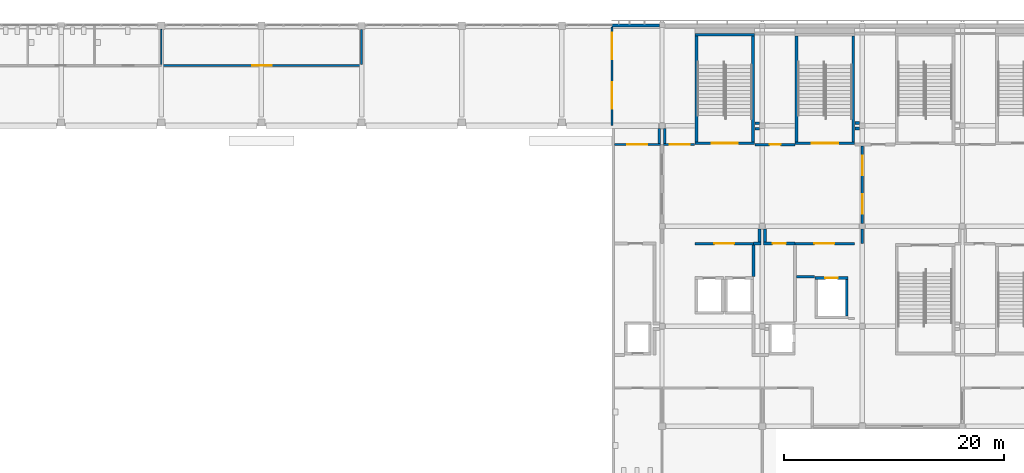
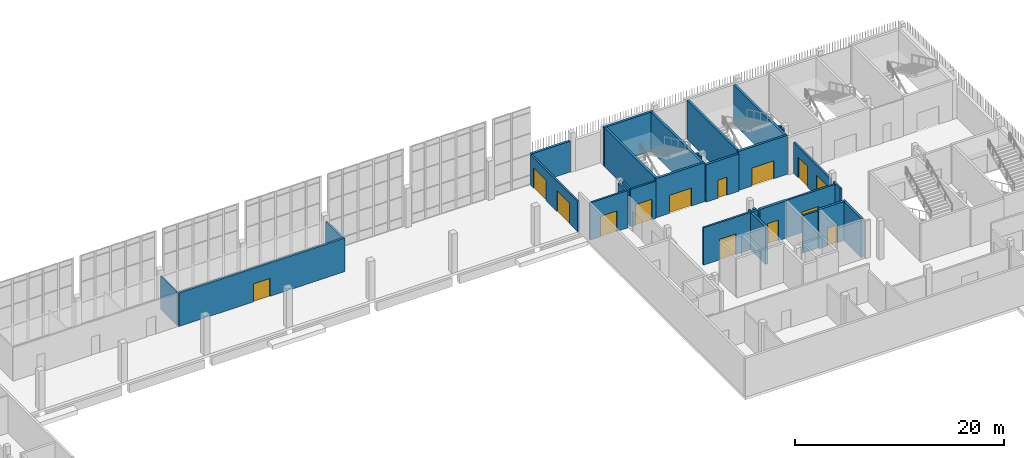
# One storey, part 52 of 91: 33 walls, 14 doors, 14 openings.
"""IFC4 building model written with IfcOpenShell, lengths in metres."""

from ifc_helpers import new_model, si_unit, direction, frame, frame_2d, origin, place, context, subcontext, project, spatial, rectangle, extrude, material, layer, layer_set, type_object, element, fill, save


model = new_model("IFC4")

# Units and contexts
model_context = context("Model", 3, precision=1e-05, world=origin(), true_north=direction((0.0, 1.0)))
body_context = subcontext(model_context, "Body", "Model", "MODEL_VIEW")
ifc_project = project(units=[si_unit("LENGTHUNIT", "METRE"), si_unit("AREAUNIT", "SQUARE_METRE"), si_unit("VOLUMEUNIT", "CUBIC_METRE"), si_unit("PLANEANGLEUNIT", "RADIAN"), si_unit("MASSUNIT", "GRAM", prefix="KILO")], contexts=[model_context])

# Site, building, storey
site_placement = place(None, origin())
site = spatial("IfcSite", under=ifc_project, at=site_placement, CompositionType="ELEMENT")
building_placement = place(site_placement, origin())
building = spatial("IfcBuilding", under=site, at=building_placement, Name="Shirokan Park Arena", CompositionType="ELEMENT")
storey_placement = place(building_placement, frame((0.0, 0.0, 24.570068359375)))
storey = spatial("IfcBuildingStorey", under=building, at=storey_placement, Name="L05", CompositionType="ELEMENT", Elevation=24.570068359375)

# Wall, opening, door
ifc_material_1 = material(Name="Plaster")
ifc_layer_1 = layer(ifc_material_1, 0.014892578125, Name="Plaster")
ifc_material_2 = material(Name="Concrete blockwork", Category="masonry")
ifc_layer_2 = layer(ifc_material_2, 0.219970703125, Name="Concrete blockwork 220")
ifc_layer_3 = layer(ifc_material_1, 0.014892578125, Name="Plaster")
ifc_layer_set_1 = layer_set([ifc_layer_1, ifc_layer_2, ifc_layer_3], Name="Plaster + Concrete blockwork 220")
wall_type_1 = type_object("IfcWallType", Name="Compartment wall 250", PredefinedType="SOLIDWALL", material=ifc_layer_set_1)
wall_1_placement = place(storey_placement, frame((117.6298828125, 98.39990234375, 0.0), z_axis=(0.0, 0.0, 1.0), x_axis=(1.0, 0.0, 0.0)))
wall_1 = element("IfcWall", 1, at=wall_1_placement, inside=storey, type_object=wall_type_1, Name="Compartment wall 250 L05", PredefinedType="SOLIDWALL", context=body_context, shape_type="SweptSolid", body=[
    extrude(rectangle(XDim=3.64013671875, YDim=0.25, at=frame_2d((1.820068359375, 0.0))), origin(), (0.0, 0.0, 1.0), 4.349853515625),
])
opening_1_placement = place(wall_1_placement, frame((1.35009765625, 0.0, 0.0)))
opening_1 = element("IfcOpeningElement", 2, at=opening_1_placement, cuts=wall_1, Name="Opening D-5028", PredefinedType="OPENING", context=body_context, shape_type="SweptSolid", body=[
    extrude(rectangle(XDim=1.0, YDim=2.10009765625, at=frame_2d((0.5, 1.050048828125))), frame((0.0, 0.135009765625, 0.0), z_axis=(0.0, -1.0, 0.0), x_axis=(1.0, 0.0, 0.0)), (0.0, 0.0, 1.0), 0.27001953125),
])
ifc_material_3 = material(Name="Timber door set, fire resisting", Category="wood")
door_type_1 = type_object("IfcDoorType", Name="Door 1000 x 2100", OperationType="SINGLE_SWING_LEFT", PredefinedType="DOOR", material=ifc_material_3)
door_1_placement = place(opening_1_placement, origin())
door_1 = element("IfcDoor", 3, at=door_1_placement, inside=storey, type_object=door_type_1, Name="Door to Refuse Room 5.32 D-5028", OperationType="SINGLE_SWING_LEFT", OverallHeight=2.10009765625, OverallWidth=1.0, PredefinedType="DOOR", context=body_context, shape_type="SweptSolid", body=[
    extrude(rectangle(XDim=1.0, YDim=2.10009765625, at=frame_2d((0.5, 1.050048828125))), frame((0.0, 0.02490234375, 0.0), z_axis=(0.0, -1.0, 0.0), x_axis=(1.0, 0.0, 0.0)), (0.0, 0.0, 1.0), 0.050048828125),
])
fill(opening_1, door_1)

# Walls
for number, where, z_axis, x_axis, name in (
    (4, (117.6298828125, 99.85009765625, 0.0), (0.0, 0.0, 1.0), (1.0, 0.0, 0.0), "Compartment wall 250 L05"),
    (5, (118.050048828125, 100.35009765625, 0.0), (0.0, 0.0, 1.0), (-1.0, 0.0, 0.0), "Compartment wall 250 L05"),
):
    element("IfcWall", number, at=place(storey_placement, frame(where, z_axis=z_axis, x_axis=x_axis)), inside=storey, type_object=wall_type_1, Name=name, PredefinedType="SOLIDWALL", context=body_context, shape_type="SweptSolid", body=[
        extrude(rectangle(XDim=0.420166015625, YDim=0.25, at=frame_2d((0.2099609375, 0.0))), origin(), (0.0, 0.0, 1.0), 4.349853515625),
    ])

# Wall, openings, doors
ifc_material_4 = material(Name="Gypsum board")
ifc_layer_4 = layer(ifc_material_4, 0.02490234375, Name="Gypsum board, two layers")
ifc_material_5 = material(Name="Mineral wool insulation")
ifc_layer_5 = layer(ifc_material_5, 0.14990234375, Name="Mineral wool insulation")
ifc_layer_6 = layer(ifc_material_4, 0.02490234375, Name="Gypsum board, two layers")
ifc_layer_set_2 = layer_set([ifc_layer_4, ifc_layer_5, ifc_layer_6], Name="Gypsum board, two layers + Mineral wool insulation")
wall_type_2 = type_object("IfcWallType", Name="Corridor wall 200", PredefinedType="PARTITIONING", material=ifc_layer_set_2)
wall_2_placement = place(storey_placement, frame((104.64990234375, 100.1298828125, 0.0), z_axis=(0.0, 0.0, 1.0), x_axis=(0.0, 1.0, 0.0)))
wall_2 = element("IfcWall", 6, at=wall_2_placement, inside=storey, type_object=wall_type_2, Name="Corridor wall 200 L05", PredefinedType="PARTITIONING", context=body_context, shape_type="SweptSolid", body=[
    extrude(rectangle(XDim=8.97021484375, YDim=0.199951171875, at=frame_2d((4.485107421875, 0.0))), origin(), (0.0, 0.0, 1.0), 3.550048828125),
])
opening_2_placement = place(wall_2_placement, frame((1.550048828125, 0.0, 0.0)))
opening_2 = element("IfcOpeningElement", 7, at=opening_2_placement, cuts=wall_2, Name="Opening D-5106", PredefinedType="OPENING", context=body_context, shape_type="SweptSolid", body=[
    extrude(rectangle(XDim=2.39990234375, YDim=2.39990234375, at=frame_2d((1.199951171875, 1.199951171875))), frame((0.0, 0.10986328125, 0.0), z_axis=(0.0, -1.0, 0.0), x_axis=(1.0, 0.0, 0.0)), (0.0, 0.0, 1.0), 0.219970703125),
])
opening_3_placement = place(wall_2_placement, frame((6.02001953125, 0.0, 0.0)))
opening_3 = element("IfcOpeningElement", 8, at=opening_3_placement, cuts=wall_2, Name="Opening D-5107", PredefinedType="OPENING", context=body_context, shape_type="SweptSolid", body=[
    extrude(rectangle(XDim=2.39990234375, YDim=2.39990234375, at=frame_2d((1.199951171875, 1.199951171875))), frame((0.0, 0.10986328125, 0.0), z_axis=(0.0, -1.0, 0.0), x_axis=(1.0, 0.0, 0.0)), (0.0, 0.0, 1.0), 0.219970703125),
])
ifc_material_6 = material(Name="Steel door set, fire resisting", Category="steel")
door_type_2 = type_object("IfcDoorType", Name="Double door 2400 x 2400", OperationType="DOUBLE_DOOR_SINGLE_SWING", PredefinedType="DOOR", material=ifc_material_6)
door_2_placement = place(opening_2_placement, origin())
door_2 = element("IfcDoor", 9, at=door_2_placement, inside=storey, type_object=door_type_2, Name="Door between Ring Link 3.5 and Concourse L05 North Hall D-5106", OperationType="DOUBLE_DOOR_SINGLE_SWING", OverallHeight=2.39990234375, OverallWidth=2.39990234375, PredefinedType="DOOR", context=body_context, shape_type="SweptSolid", body=[
    extrude(rectangle(XDim=2.39990234375, YDim=2.39990234375, at=frame_2d((1.199951171875, 1.199951171875))), frame((0.0, 0.02490234375, 0.0), z_axis=(0.0, -1.0, 0.0), x_axis=(1.0, 0.0, 0.0)), (0.0, 0.0, 1.0), 0.050048828125),
])
fill(opening_2, door_2)
door_3_placement = place(opening_3_placement, origin())
door_3 = element("IfcDoor", 10, at=door_3_placement, inside=storey, type_object=door_type_2, Name="Door between Ring Link 3.5 and Concourse L05 North Hall D-5107", OperationType="DOUBLE_DOOR_SINGLE_SWING", OverallHeight=2.39990234375, OverallWidth=2.39990234375, PredefinedType="DOOR", context=body_context, shape_type="SweptSolid", body=[
    extrude(rectangle(XDim=2.39990234375, YDim=2.39990234375, at=frame_2d((1.199951171875, 1.199951171875))), frame((0.0, 0.02490234375, 0.0), z_axis=(0.0, -1.0, 0.0), x_axis=(1.0, 0.0, 0.0)), (0.0, 0.0, 1.0), 0.050048828125),
])
fill(opening_3, door_3)

# Wall, opening, door
wall_3_placement = place(storey_placement, frame((104.89990234375, 98.39990234375, 0.0), z_axis=(0.0, 0.0, 1.0), x_axis=(1.0, 0.0, 0.0)))
wall_3 = element("IfcWall", 11, at=wall_3_placement, inside=storey, type_object=wall_type_2, Name="Corridor wall 200 L05", PredefinedType="PARTITIONING", context=body_context, shape_type="SweptSolid", body=[
    extrude(rectangle(XDim=4.150146484375, YDim=0.199951171875, at=frame_2d((2.0751953125, 0.0))), origin(), (0.0, 0.0, 1.0), 4.349853515625),
])
opening_4_placement = place(wall_3_placement, frame((1.14990234375, 0.0, 0.0)))
opening_4 = element("IfcOpeningElement", 12, at=opening_4_placement, cuts=wall_3, Name="Opening D-5103", PredefinedType="OPENING", context=body_context, shape_type="SweptSolid", body=[
    extrude(rectangle(XDim=1.800048828125, YDim=2.39990234375, at=frame_2d((0.89990234375, 1.199951171875))), frame((0.0, 0.10986328125, 0.0), z_axis=(0.0, -1.0, 0.0), x_axis=(1.0, 0.0, 0.0)), (0.0, 0.0, 1.0), 0.219970703125),
])
ifc_material_7 = material(Name="Glazed steel door set, fire resisting", Category="steel")
door_type_3 = type_object("IfcDoorType", Name="Lift lobby door 1800 x 2400", OperationType="DOUBLE_DOOR_SINGLE_SWING", PredefinedType="DOOR", material=ifc_material_7)
door_4_placement = place(opening_4_placement, origin())
door_4 = element("IfcDoor", 13, at=door_4_placement, inside=storey, type_object=door_type_3, Name="Door between Upper Concourse Lobby 3.5.3 and Ring Link 3.5 D-5103", OperationType="DOUBLE_DOOR_SINGLE_SWING", OverallHeight=2.39990234375, OverallWidth=1.800048828125, PredefinedType="DOOR", context=body_context, shape_type="SweptSolid", body=[
    extrude(rectangle(XDim=1.800048828125, YDim=2.39990234375, at=frame_2d((0.89990234375, 1.199951171875))), frame((0.0, 0.02490234375, 0.0), z_axis=(0.0, -1.0, 0.0), x_axis=(1.0, 0.0, 0.0)), (0.0, 0.0, 1.0), 0.050048828125),
])
fill(opening_4, door_4)

# Wall
wall_4_placement = place(storey_placement, frame((108.949951171875, 98.5, 0.0), z_axis=(0.0, 0.0, 1.0), x_axis=(0.0, 1.0, 0.0)))
element("IfcWall", 14, at=wall_4_placement, inside=storey, type_object=wall_type_2, Name="Corridor wall 200 L05", PredefinedType="PARTITIONING", context=body_context, shape_type="SweptSolid", body=[
    extrude(rectangle(XDim=1.35009765625, YDim=0.199951171875, at=frame_2d((0.675048828125, 0.0))), origin(), (0.0, 0.0, 1.0), 4.349853515625),
])

# Wall, opening, door
wall_5_placement = place(storey_placement, frame((109.35009765625, 98.39990234375, 0.0), z_axis=(0.0, 0.0, 1.0), x_axis=(1.0, 0.0, 0.0)))
wall_5 = element("IfcWall", 15, at=wall_5_placement, inside=storey, type_object=wall_type_2, Name="Corridor wall 200 L05", PredefinedType="PARTITIONING", context=body_context, shape_type="SweptSolid", body=[
    extrude(rectangle(XDim=2.81982421875, YDim=0.199951171875, at=frame_2d((1.409912109375, 0.0))), origin(), (0.0, 0.0, 1.0), 4.349853515625),
])
opening_5_placement = place(wall_5_placement, frame((0.550048828125, 0.0, 0.0)))
opening_5 = element("IfcOpeningElement", 16, at=opening_5_placement, cuts=wall_5, Name="Opening D-5102", PredefinedType="OPENING", context=body_context, shape_type="SweptSolid", body=[
    extrude(rectangle(XDim=1.800048828125, YDim=2.39990234375, at=frame_2d((0.89990234375, 1.199951171875))), frame((0.0, 0.10986328125, 0.0), z_axis=(0.0, -1.0, 0.0), x_axis=(1.0, 0.0, 0.0)), (0.0, 0.0, 1.0), 0.219970703125),
])
door_5_placement = place(opening_5_placement, origin())
door_5 = element("IfcDoor", 17, at=door_5_placement, inside=storey, type_object=door_type_3, Name="Door between Retail Arcade 3.5.2 and Ring Link 3.5 D-5102", OperationType="DOUBLE_DOOR_SINGLE_SWING", OverallHeight=2.39990234375, OverallWidth=1.800048828125, PredefinedType="DOOR", context=body_context, shape_type="SweptSolid", body=[
    extrude(rectangle(XDim=1.800048828125, YDim=2.39990234375, at=frame_2d((0.89990234375, 1.199951171875))), frame((0.0, 0.02490234375, 0.0), z_axis=(0.0, -1.0, 0.0), x_axis=(1.0, 0.0, 0.0)), (0.0, 0.0, 1.0), 0.050048828125),
])
fill(opening_5, door_5)

# Wall
wall_6_placement = place(storey_placement, frame((109.449951171875, 99.85009765625, 0.0), z_axis=(0.0, 0.0, 1.0), x_axis=(0.0, -1.0, 0.0)))
element("IfcWall", 18, at=wall_6_placement, inside=storey, type_object=wall_type_2, Name="Corridor wall 200 L05", PredefinedType="PARTITIONING", context=body_context, shape_type="SweptSolid", body=[
    extrude(rectangle(XDim=1.35009765625, YDim=0.199951171875, at=frame_2d((0.675048828125, 0.0))), origin(), (0.0, 0.0, 1.0), 4.349853515625),
])

# Wall, opening, door
wall_7_placement = place(storey_placement, frame((117.5, 89.39990234375, 0.0), z_axis=(0.0, 0.0, 1.0), x_axis=(-1.0, 0.0, 0.0)))
wall_7 = element("IfcWall", 19, at=wall_7_placement, inside=storey, type_object=wall_type_2, Name="Corridor wall 200 L05", PredefinedType="PARTITIONING", context=body_context, shape_type="SweptSolid", body=[
    extrude(rectangle(XDim=5.300048828125, YDim=0.199951171875, at=frame_2d((2.64990234375, 0.0))), origin(), (0.0, 0.0, 1.0), 4.349853515625),
])
opening_6_placement = place(wall_7_placement, frame((1.75, 0.0, 0.0)))
opening_6 = element("IfcOpeningElement", 20, at=opening_6_placement, cuts=wall_7, Name="Opening D-5100", PredefinedType="OPENING", context=body_context, shape_type="SweptSolid", body=[
    extrude(rectangle(XDim=1.800048828125, YDim=2.39990234375, at=frame_2d((0.89990234375, 1.199951171875))), frame((0.0, 0.10986328125, 0.0), z_axis=(0.0, -1.0, 0.0), x_axis=(1.0, 0.0, 0.0)), (0.0, 0.0, 1.0), 0.219970703125),
])
door_6_placement = place(opening_6_placement, origin())
door_6 = element("IfcDoor", 21, at=door_6_placement, inside=storey, type_object=door_type_3, Name="Door between Retail Arcade 3.5.2 and Lift Lobby 3.5 D-5100", OperationType="DOUBLE_DOOR_SINGLE_SWING", OverallHeight=2.39990234375, OverallWidth=1.800048828125, PredefinedType="DOOR", context=body_context, shape_type="SweptSolid", body=[
    extrude(rectangle(XDim=1.800048828125, YDim=2.39990234375, at=frame_2d((0.89990234375, 1.199951171875))), frame((0.0, 0.02490234375, 0.0), z_axis=(0.0, -1.0, 0.0), x_axis=(1.0, 0.0, 0.0)), (0.0, 0.0, 1.0), 0.050048828125),
])
fill(opening_6, door_6)

# Wall
wall_8_placement = place(storey_placement, frame((123.070068359375, 86.39990234375, 0.0), z_axis=(0.0, 0.0, 1.0), x_axis=(-1.0, 0.0, 0.0)))
element("IfcWall", 22, at=wall_8_placement, inside=storey, type_object=wall_type_2, Name="Corridor wall 200 L05", PredefinedType="PARTITIONING", context=body_context, shape_type="SweptSolid", body=[
    extrude(rectangle(XDim=1.632568359375, YDim=0.199951171875, at=frame_2d((0.81640625, 0.0))), origin(), (0.0, 0.0, 1.0), 4.349853515625),
])

# Wall, opening, door
wall_9_placement = place(storey_placement, frame((126.699951171875, 89.39990234375, 0.0), z_axis=(0.0, 0.0, 1.0), x_axis=(-1.0, 0.0, 0.0)))
wall_9 = element("IfcWall", 23, at=wall_9_placement, inside=storey, type_object=wall_type_2, Name="Corridor wall 200 L05", PredefinedType="PARTITIONING", context=body_context, shape_type="SweptSolid", body=[
    extrude(rectangle(XDim=5.39990234375, YDim=0.199951171875, at=frame_2d((2.699951171875, 0.0))), origin(), (0.0, 0.0, 1.0), 4.349853515625),
])
opening_7_placement = place(wall_9_placement, frame((1.85009765625, 0.0, 0.0)))
opening_7 = element("IfcOpeningElement", 24, at=opening_7_placement, cuts=wall_9, Name="Opening D-5101", PredefinedType="OPENING", context=body_context, shape_type="SweptSolid", body=[
    extrude(rectangle(XDim=1.800048828125, YDim=2.39990234375, at=frame_2d((0.89990234375, 1.199951171875))), frame((0.0, 0.10986328125, 0.0), z_axis=(0.0, -1.0, 0.0), x_axis=(1.0, 0.0, 0.0)), (0.0, 0.0, 1.0), 0.219970703125),
])
door_7_placement = place(opening_7_placement, origin())
door_7 = element("IfcDoor", 25, at=door_7_placement, inside=storey, type_object=door_type_3, Name="Door between Retail Arcade 3.5.2 and Service Lift Lobby 3.5 D-5101", OperationType="DOUBLE_DOOR_SINGLE_SWING", OverallHeight=2.39990234375, OverallWidth=1.800048828125, PredefinedType="DOOR", context=body_context, shape_type="SweptSolid", body=[
    extrude(rectangle(XDim=1.800048828125, YDim=2.39990234375, at=frame_2d((0.89990234375, 1.199951171875))), frame((0.0, 0.02490234375, 0.0), z_axis=(0.0, -1.0, 0.0), x_axis=(1.0, 0.0, 0.0)), (0.0, 0.0, 1.0), 0.050048828125),
])
fill(opening_7, door_7)

# Wall
wall_10_placement = place(storey_placement, frame((127.39990234375, 89.39990234375, 0.0), z_axis=(0.0, 0.0, 1.0), x_axis=(0.0, 1.0, 0.0)))
element("IfcWall", 26, at=wall_10_placement, inside=storey, type_object=wall_type_2, Name="Corridor wall 200 L05", PredefinedType="PARTITIONING", context=body_context, shape_type="SweptSolid", body=[
    extrude(rectangle(XDim=1.35009765625, YDim=0.199951171875, at=frame_2d((0.675048828125, 0.0))), origin(), (0.0, 0.0, 1.0), 3.599853515625),
])

# Wall, openings, doors
wall_11_placement = place(storey_placement, frame((127.39990234375, 91.25, 0.0), z_axis=(0.0, 0.0, 1.0), x_axis=(0.0, 1.0, 0.0)))
wall_11 = element("IfcWall", 27, at=wall_11_placement, inside=storey, type_object=wall_type_2, Name="Corridor wall 200 L05", PredefinedType="PARTITIONING", context=body_context, shape_type="SweptSolid", body=[
    extrude(rectangle(XDim=7.012451171875, YDim=0.199951171875, at=frame_2d((3.50634765625, 0.0))), origin(), (0.0, 0.0, 1.0), 3.599853515625),
])
opening_8_placement = place(wall_11_placement, frame((0.85009765625, 0.0, 0.0)))
opening_8 = element("IfcOpeningElement", 28, at=opening_8_placement, cuts=wall_11, Name="Opening D-5096", PredefinedType="OPENING", context=body_context, shape_type="SweptSolid", body=[
    extrude(rectangle(XDim=1.800048828125, YDim=2.39990234375, at=frame_2d((0.89990234375, 1.199951171875))), frame((0.0, 0.10986328125, 0.0), z_axis=(0.0, -1.0, 0.0), x_axis=(1.0, 0.0, 0.0)), (0.0, 0.0, 1.0), 0.219970703125),
])
opening_9_placement = place(wall_11_placement, frame((4.35009765625, 0.0, 0.0)))
opening_9 = element("IfcOpeningElement", 29, at=opening_9_placement, cuts=wall_11, Name="Opening D-5097", PredefinedType="OPENING", context=body_context, shape_type="SweptSolid", body=[
    extrude(rectangle(XDim=1.800048828125, YDim=2.39990234375, at=frame_2d((0.89990234375, 1.199951171875))), frame((0.0, 0.10986328125, 0.0), z_axis=(0.0, -1.0, 0.0), x_axis=(1.0, 0.0, 0.0)), (0.0, 0.0, 1.0), 0.219970703125),
])
door_8_placement = place(opening_8_placement, origin())
door_8 = element("IfcDoor", 30, at=door_8_placement, inside=storey, type_object=door_type_3, Name="Door between Stair Lobby 3.5.1 and Retail Arcade 3.5.2 D-5096", OperationType="DOUBLE_DOOR_SINGLE_SWING", OverallHeight=2.39990234375, OverallWidth=1.800048828125, PredefinedType="DOOR", context=body_context, shape_type="SweptSolid", body=[
    extrude(rectangle(XDim=1.800048828125, YDim=2.39990234375, at=frame_2d((0.89990234375, 1.199951171875))), frame((0.0, 0.02490234375, 0.0), z_axis=(0.0, -1.0, 0.0), x_axis=(1.0, 0.0, 0.0)), (0.0, 0.0, 1.0), 0.050048828125),
])
fill(opening_8, door_8)
door_9_placement = place(opening_9_placement, origin())
door_9 = element("IfcDoor", 31, at=door_9_placement, inside=storey, type_object=door_type_3, Name="Door between Stair Lobby 3.5.1 and Retail Arcade 3.5.2 D-5097", OperationType="DOUBLE_DOOR_SINGLE_SWING", OverallHeight=2.39990234375, OverallWidth=1.800048828125, PredefinedType="DOOR", context=body_context, shape_type="SweptSolid", body=[
    extrude(rectangle(XDim=1.800048828125, YDim=2.39990234375, at=frame_2d((0.89990234375, 1.199951171875))), frame((0.0, 0.02490234375, 0.0), z_axis=(0.0, -1.0, 0.0), x_axis=(1.0, 0.0, 0.0)), (0.0, 0.0, 1.0), 0.050048828125),
])
fill(opening_9, door_9)

# Wall
ifc_material_8 = material(Name="Concrete C35", Category="concrete")
ifc_layer_7 = layer(ifc_material_8, 0.125)
ifc_layer_set_3 = layer_set([ifc_layer_7], Name="Concrete C35 125 mm")
wall_type_3 = type_object("IfcWallType", Name="Pavilion RC wall 125", PredefinedType="SOLIDWALL", material=ifc_layer_set_3)
wall_12_placement = place(storey_placement, frame((63.699951171875, 108.875, 0.0), z_axis=(0.0, 0.0, 1.0), x_axis=(0.0, -1.0, 0.0)))
element("IfcWall", 32, at=wall_12_placement, inside=storey, type_object=wall_type_3, Name="Wet-area wall 125 L05", PredefinedType="PARTITIONING", context=body_context, shape_type="SweptSolid", body=[
    extrude(rectangle(XDim=3.175048828125, YDim=0.125, at=frame_2d((1.58740234375, 0.0))), origin(), (0.0, 0.0, 1.0), 3.89990234375),
])

# Wall, opening, door
ifc_layer_8 = layer(ifc_material_8, 0.199951171875)
ifc_layer_set_4 = layer_set([ifc_layer_8], Name="Concrete C35 200 mm")
wall_type_4 = type_object("IfcWallType", Name="Pavilion RC wall 200", PredefinedType="SOLIDWALL", material=ifc_layer_set_4)
wall_13_placement = place(storey_placement, frame((63.699951171875, 105.60009765625, 0.0), z_axis=(0.0, 0.0, 1.0), x_axis=(1.0, 0.0, 0.0)))
wall_13 = element("IfcWall", 33, at=wall_13_placement, inside=storey, type_object=wall_type_4, Name="Corridor wall 200 L05", PredefinedType="PARTITIONING", context=body_context, shape_type="SweptSolid", body=[
    extrude(rectangle(XDim=18.300048828125, YDim=0.199951171875, at=frame_2d((9.14990234375, 0.0))), origin(), (0.0, 0.0, 1.0), 3.89990234375),
])
opening_10_placement = place(wall_13_placement, frame((8.25, 0.0, 0.0)))
opening_10 = element("IfcOpeningElement", 34, at=opening_10_placement, cuts=wall_13, Name="Opening D-5050", PredefinedType="OPENING", context=body_context, shape_type="SweptSolid", body=[
    extrude(rectangle(XDim=1.800048828125, YDim=2.10009765625, at=frame_2d((0.89990234375, 1.050048828125))), frame((0.0, 0.10986328125, 0.0), z_axis=(0.0, -1.0, 0.0), x_axis=(1.0, 0.0, 0.0)), (0.0, 0.0, 1.0), 0.219970703125),
])
door_type_4 = type_object("IfcDoorType", Name="Double door 1800 x 2100", OperationType="DOUBLE_DOOR_SINGLE_SWING", PredefinedType="DOOR", material=ifc_material_3)
door_10_placement = place(opening_10_placement, origin())
door_10 = element("IfcDoor", 35, at=door_10_placement, inside=storey, type_object=door_type_4, Name="Door to Concession Kiosk 5.34 D-5050", OperationType="DOUBLE_DOOR_SINGLE_SWING", OverallHeight=2.10009765625, OverallWidth=1.800048828125, PredefinedType="DOOR", context=body_context, shape_type="SweptSolid", body=[
    extrude(rectangle(XDim=1.800048828125, YDim=2.10009765625, at=frame_2d((0.89990234375, 1.050048828125))), frame((0.0, 0.02490234375, 0.0), z_axis=(0.0, -1.0, 0.0), x_axis=(1.0, 0.0, 0.0)), (0.0, 0.0, 1.0), 0.050048828125),
])
fill(opening_10, door_10)

# Walls
wall_14_placement = place(storey_placement, frame((81.89990234375, 105.699951171875, 0.0), z_axis=(0.0, 0.0, 1.0), x_axis=(0.0, 1.0, 0.0)))
element("IfcWall", 36, at=wall_14_placement, inside=storey, type_object=wall_type_4, Name="Corridor wall 200 L05", PredefinedType="PARTITIONING", context=body_context, shape_type="SweptSolid", body=[
    extrude(rectangle(XDim=3.150146484375, YDim=0.199951171875, at=frame_2d((1.5751953125, 0.0))), origin(), (0.0, 0.0, 1.0), 3.89990234375),
])
ifc_layer_9 = layer(ifc_material_1, 0.012451171875, Name="Plaster")
ifc_layer_10 = layer(ifc_material_2, 0.25, Name="Concrete blockwork 250")
ifc_layer_11 = layer(ifc_material_1, 0.012451171875, Name="Plaster")
ifc_layer_set_5 = layer_set([ifc_layer_9, ifc_layer_10, ifc_layer_11], Name="Plaster + Concrete blockwork 250")
wall_type_5 = type_object("IfcWallType", Name="Plant room wall 275", PredefinedType="SOLIDWALL", material=ifc_layer_set_5)
wall_15_placement = place(storey_placement, frame((117.5, 86.429931640625, 0.0), z_axis=(0.0, 0.0, 1.0), x_axis=(0.0, 1.0, 0.0)))
element("IfcWall", 37, at=wall_15_placement, inside=storey, type_object=wall_type_5, Name="Plant room wall 275 L05", PredefinedType="SOLIDWALL", context=body_context, shape_type="SweptSolid", body=[
    extrude(rectangle(XDim=2.83251953125, YDim=0.27490234375, at=frame_2d((1.416259765625, 0.0))), origin(), (0.0, 0.0, 1.0), 4.349853515625),
])
wall_16_placement = place(storey_placement, frame((118.050048828125, 90.75, 0.0), z_axis=(0.0, 0.0, 1.0), x_axis=(0.0, -1.0, 0.0)))
element("IfcWall", 38, at=wall_16_placement, inside=storey, type_object=wall_type_5, Name="Plant room wall 275 L05", PredefinedType="SOLIDWALL", context=body_context, shape_type="SweptSolid", body=[
    extrude(rectangle(XDim=1.21240234375, YDim=0.27490234375, at=frame_2d((0.606201171875, 0.0))), origin(), (0.0, 0.0, 1.0), 3.599853515625),
])
wall_17_placement = place(storey_placement, frame((118.1875, 89.39990234375, 0.0), z_axis=(0.0, 0.0, 1.0), x_axis=(-1.0, 0.0, 0.0)))
element("IfcWall", 39, at=wall_17_placement, inside=storey, type_object=wall_type_5, Name="Plant room wall 275 L05", PredefinedType="SOLIDWALL", context=body_context, shape_type="SweptSolid", body=[
    extrude(rectangle(XDim=0.6875, YDim=0.27490234375, at=frame_2d((0.34375, 0.0))), origin(), (0.0, 0.0, 1.0), 4.349853515625),
])
wall_18_placement = place(storey_placement, frame((118.550048828125, 89.53759765625, 0.0), z_axis=(0.0, 0.0, 1.0), x_axis=(0.0, 1.0, 0.0)))
element("IfcWall", 40, at=wall_18_placement, inside=storey, type_object=wall_type_5, Name="Plant room wall 275 L05", PredefinedType="SOLIDWALL", context=body_context, shape_type="SweptSolid", body=[
    extrude(rectangle(XDim=1.21240234375, YDim=0.27490234375, at=frame_2d((0.606201171875, 0.0))), origin(), (0.0, 0.0, 1.0), 3.599853515625),
])

# Wall, opening, door
wall_19_placement = place(storey_placement, frame((121.300048828125, 89.39990234375, 0.0), z_axis=(0.0, 0.0, 1.0), x_axis=(-1.0, 0.0, 0.0)))
wall_19 = element("IfcWall", 41, at=wall_19_placement, inside=storey, type_object=wall_type_5, Name="Plant room wall 275 L05", PredefinedType="SOLIDWALL", context=body_context, shape_type="SweptSolid", body=[
    extrude(rectangle(XDim=2.887451171875, YDim=0.27490234375, at=frame_2d((1.44384765625, 0.0))), origin(), (0.0, 0.0, 1.0), 4.349853515625),
])
opening_11_placement = place(wall_19_placement, frame((0.85009765625, 0.0, 0.0)))
opening_11 = element("IfcOpeningElement", 42, at=opening_11_placement, cuts=wall_19, Name="Opening D-5024", PredefinedType="OPENING", context=body_context, shape_type="SweptSolid", body=[
    extrude(rectangle(XDim=1.199951171875, YDim=2.39990234375, at=frame_2d((0.60009765625, 1.199951171875))), frame((0.0, 0.1474609375, 0.0), z_axis=(0.0, -1.0, 0.0), x_axis=(1.0, 0.0, 0.0)), (0.0, 0.0, 1.0), 0.294921875),
])
ifc_material_9 = material(Name="Louvred steel door set, fire resisting", Category="steel")
door_type_5 = type_object("IfcDoorType", Name="Plant room door 1200 x 2400", OperationType="SINGLE_SWING_LEFT", PredefinedType="DOOR", material=ifc_material_9)
door_11_placement = place(opening_11_placement, origin())
door_11 = element("IfcDoor", 43, at=door_11_placement, inside=storey, type_object=door_type_5, Name="Door to Electrical Room 5.38 D-5024", OperationType="SINGLE_SWING_LEFT", OverallHeight=2.39990234375, OverallWidth=1.199951171875, PredefinedType="DOOR", context=body_context, shape_type="SweptSolid", body=[
    extrude(rectangle(XDim=1.199951171875, YDim=2.39990234375, at=frame_2d((0.60009765625, 1.199951171875))), frame((0.0, 0.02490234375, 0.0), z_axis=(0.0, -1.0, 0.0), x_axis=(1.0, 0.0, 0.0)), (0.0, 0.0, 1.0), 0.050048828125),
])
fill(opening_11, door_11)

# Walls
for number, where, z_axis, x_axis, name in (
    (44, (126.72998046875, 99.85009765625, 0.0), (0.0, 0.0, 1.0), (1.0, 0.0, 0.0), "Plant room wall 275 L05"),
    (45, (127.14990234375, 100.35009765625, 0.0), (0.0, 0.0, 1.0), (-1.0, 0.0, 0.0), "Plant room wall 275 L05"),
):
    element("IfcWall", number, at=place(storey_placement, frame(where, z_axis=z_axis, x_axis=x_axis)), inside=storey, type_object=wall_type_5, Name=name, PredefinedType="SOLIDWALL", context=body_context, shape_type="SweptSolid", body=[
        extrude(rectangle(XDim=0.419921875, YDim=0.27490234375, at=frame_2d((0.2099609375, 0.0))), origin(), (0.0, 0.0, 1.0), 4.349853515625),
    ])
ifc_material_10 = material(Name="Concrete C40/50 precast", Category="concrete")
ifc_layer_12 = layer(ifc_material_10, 0.10009765625, Name="Concrete C40/50 precast")
ifc_layer_13 = layer(ifc_material_5, 0.10009765625, Name="Mineral wool insulation")
ifc_material_11 = material(Name="Gypsum board lining")
ifc_layer_14 = layer(ifc_material_11, 0.050048828125, Name="Gypsum board lining")
ifc_layer_set_6 = layer_set([ifc_layer_12, ifc_layer_13, ifc_layer_14], Name="Concrete C40/50 precast + Mineral wool insulation + Gypsum board lining")
wall_type_6 = type_object("IfcWallType", Name="Precast concrete panel wall 250", PredefinedType="SOLIDWALL", material=ifc_layer_set_6)
wall_20_placement = place(storey_placement, frame((108.949951171875, 109.22509765625, 0.0), z_axis=(0.0, 0.0, 1.0), x_axis=(-1.0, 0.0, 0.0)))
element("IfcWall", 46, at=wall_20_placement, inside=storey, type_object=wall_type_6, Name="North facade wall bay 5 L05", PredefinedType="SOLIDWALL", context=body_context, shape_type="SweptSolid", body=[
    extrude(rectangle(XDim=4.300048828125, YDim=0.25, at=frame_2d((2.14990234375, 0.0))), origin(), (0.0, 0.0, 1.0), 3.599853515625),
])

# Wall, opening, door
ifc_material_12 = material(Name="Concrete C40/50", Category="concrete")
ifc_layer_15 = layer(ifc_material_12, 0.25)
ifc_layer_set_7 = layer_set([ifc_layer_15], Name="Concrete C40/50 250 mm")
wall_type_7 = type_object("IfcWallType", Name="RC shear wall 250", PredefinedType="SHEAR", material=ifc_layer_set_7)
wall_21_placement = place(storey_placement, frame((126.10009765625, 86.27490234375, 0.0), z_axis=(0.0, 0.0, 1.0), x_axis=(-1.0, 0.0, 0.0)))
wall_21 = element("IfcWall", 47, at=wall_21_placement, inside=storey, type_object=wall_type_7, Name="Shaft wall Service Lift 3 N L05", PredefinedType="SHEAR", context=body_context, shape_type="SweptSolid", body=[
    extrude(rectangle(XDim=3.0, YDim=0.25, at=frame_2d((1.5, 0.0))), origin(), (0.0, 0.0, 1.0), 4.550048828125),
])
opening_12_placement = place(wall_21_placement, frame((0.949951171875, 0.0, 0.0)))
opening_12 = element("IfcOpeningElement", 48, at=opening_12_placement, cuts=wall_21, Name="Opening LD68", PredefinedType="OPENING", context=body_context, shape_type="SweptSolid", body=[
    extrude(rectangle(XDim=1.10009765625, YDim=2.10009765625, at=frame_2d((0.550048828125, 1.050048828125))), frame((0.0, 0.135009765625, 0.0), z_axis=(0.0, -1.0, 0.0), x_axis=(1.0, 0.0, 0.0)), (0.0, 0.0, 1.0), 0.27001953125),
])
ifc_material_13 = material(Name="Stainless steel", Category="steel")
door_type_6 = type_object("IfcDoorType", Name="Lift landing door 1100x2100", OperationType="DOUBLE_DOOR_SLIDING", PredefinedType="DOOR", material=ifc_material_13)
door_12_placement = place(opening_12_placement, origin())
door_12 = element("IfcDoor", 49, at=door_12_placement, inside=storey, type_object=door_type_6, Name="Lift landing door Service Lift 3 L05", OperationType="DOUBLE_DOOR_SLIDING", OverallHeight=2.10009765625, OverallWidth=1.10009765625, PredefinedType="DOOR", context=body_context, shape_type="SweptSolid", body=[
    extrude(rectangle(XDim=1.10009765625, YDim=2.10009765625, at=frame_2d((0.550048828125, 1.050048828125))), frame((0.0, 0.02490234375, 0.0), z_axis=(0.0, -1.0, 0.0), x_axis=(1.0, 0.0, 0.0)), (0.0, 0.0, 1.0), 0.050048828125),
])
fill(opening_12, door_12)

# Wall
wall_22_placement = place(storey_placement, frame((125.97509765625, 86.14990234375, 0.0), z_axis=(0.0, 0.0, 1.0), x_axis=(0.0, -1.0, 0.0)))
element("IfcWall", 50, at=wall_22_placement, inside=storey, type_object=wall_type_7, Name="Shaft wall Service Lift 3 E L05", PredefinedType="SHEAR", context=body_context, shape_type="SweptSolid", body=[
    extrude(rectangle(XDim=3.2998046875, YDim=0.25, at=frame_2d((1.64990234375, 0.0))), origin(), (0.0, 0.0, 1.0), 4.550048828125),
])

# Wall, opening, door
wall_23_placement = place(storey_placement, frame((126.699951171875, 98.52490234375, 0.0), z_axis=(0.0, 0.0, 1.0), x_axis=(-1.0, 0.0, 0.0)))
wall_23 = element("IfcWall", 51, at=wall_23_placement, inside=storey, type_object=wall_type_7, Name="Shaft wall Exit Stair 3.C S L05", PredefinedType="SHEAR", context=body_context, shape_type="SweptSolid", body=[
    extrude(rectangle(XDim=5.39990234375, YDim=0.25, at=frame_2d((2.699951171875, 0.0))), origin(), (0.0, 0.0, 1.0), 4.550048828125),
])
opening_13_placement = place(wall_23_placement, frame((1.5, 0.0, 0.0)))
opening_13 = element("IfcOpeningElement", 52, at=opening_13_placement, cuts=wall_23, Name="Opening D-5149", PredefinedType="OPENING", context=body_context, shape_type="SweptSolid", body=[
    extrude(rectangle(XDim=2.39990234375, YDim=2.10009765625, at=frame_2d((1.199951171875, 1.050048828125))), frame((0.0, 0.135009765625, 0.0), z_axis=(0.0, -1.0, 0.0), x_axis=(1.0, 0.0, 0.0)), (0.0, 0.0, 1.0), 0.27001953125),
])
door_type_7 = type_object("IfcDoorType", Name="Stair door 2400 x 2100", OperationType="DOUBLE_DOOR_SINGLE_SWING", PredefinedType="DOOR", material=ifc_material_6)
door_13_placement = place(opening_13_placement, origin())
door_13 = element("IfcDoor", 53, at=door_13_placement, inside=storey, type_object=door_type_7, Name="Stair door Exit Stair 3.C D-5149", OperationType="DOUBLE_DOOR_SINGLE_SWING", OverallHeight=2.10009765625, OverallWidth=2.39990234375, PredefinedType="DOOR", context=body_context, shape_type="SweptSolid", body=[
    extrude(rectangle(XDim=2.39990234375, YDim=2.10009765625, at=frame_2d((1.199951171875, 1.050048828125))), frame((0.0, 0.02490234375, 0.0), z_axis=(0.0, -1.0, 0.0), x_axis=(1.0, 0.0, 0.0)), (0.0, 0.0, 1.0), 0.050048828125),
])
fill(opening_13, door_13)

# Walls
for number, where, z_axis, x_axis, name in (
    (54, (121.425048828125, 108.25, 0.0), (0.0, 0.0, 1.0), (0.0, -1.0, 0.0), "Shaft wall Exit Stair 3.C W L05"),
    (55, (126.574951171875, 108.25, 0.0), (0.0, 0.0, 1.0), (0.0, -1.0, 0.0), "Shaft wall Exit Stair 3.C E L05"),
):
    element("IfcWall", number, at=place(storey_placement, frame(where, z_axis=z_axis, x_axis=x_axis)), inside=storey, type_object=wall_type_7, Name=name, PredefinedType="SHEAR", context=body_context, shape_type="SweptSolid", body=[
        extrude(rectangle(XDim=9.60009765625, YDim=0.25, at=frame_2d((4.800048828125, 0.0))), origin(), (0.0, 0.0, 1.0), 4.550048828125),
    ])

# Wall, opening, door
wall_24_placement = place(storey_placement, frame((117.60009765625, 98.52490234375, 0.0), z_axis=(0.0, 0.0, 1.0), x_axis=(-1.0, 0.0, 0.0)))
wall_24 = element("IfcWall", 56, at=wall_24_placement, inside=storey, type_object=wall_type_7, Name="Shaft wall Exit Stair 3.D S L05", PredefinedType="SHEAR", context=body_context, shape_type="SweptSolid", body=[
    extrude(rectangle(XDim=5.400146484375, YDim=0.25, at=frame_2d((2.7001953125, 0.0))), origin(), (0.0, 0.0, 1.0), 4.550048828125),
])
opening_14_placement = place(wall_24_placement, frame((1.5, 0.0, 0.0)))
opening_14 = element("IfcOpeningElement", 57, at=opening_14_placement, cuts=wall_24, Name="Opening D-5150", PredefinedType="OPENING", context=body_context, shape_type="SweptSolid", body=[
    extrude(rectangle(XDim=2.39990234375, YDim=2.10009765625, at=frame_2d((1.199951171875, 1.050048828125))), frame((0.0, 0.135009765625, 0.0), z_axis=(0.0, -1.0, 0.0), x_axis=(1.0, 0.0, 0.0)), (0.0, 0.0, 1.0), 0.27001953125),
])
door_14_placement = place(opening_14_placement, origin())
door_14 = element("IfcDoor", 58, at=door_14_placement, inside=storey, type_object=door_type_7, Name="Stair door Exit Stair 3.D D-5150", OperationType="DOUBLE_DOOR_SINGLE_SWING", OverallHeight=2.10009765625, OverallWidth=2.39990234375, PredefinedType="DOOR", context=body_context, shape_type="SweptSolid", body=[
    extrude(rectangle(XDim=2.39990234375, YDim=2.10009765625, at=frame_2d((1.199951171875, 1.050048828125))), frame((0.0, 0.02490234375, 0.0), z_axis=(0.0, -1.0, 0.0), x_axis=(1.0, 0.0, 0.0)), (0.0, 0.0, 1.0), 0.050048828125),
])
fill(opening_14, door_14)

# Walls
wall_25_placement = place(storey_placement, frame((117.60009765625, 108.375, 0.0), z_axis=(0.0, 0.0, 1.0), x_axis=(-1.0, 0.0, 0.0)))
element("IfcWall", 59, at=wall_25_placement, inside=storey, type_object=wall_type_7, Name="Shaft wall Exit Stair 3.D N L05", PredefinedType="SHEAR", context=body_context, shape_type="SweptSolid", body=[
    extrude(rectangle(XDim=5.400146484375, YDim=0.25, at=frame_2d((2.7001953125, 0.0))), origin(), (0.0, 0.0, 1.0), 4.550048828125),
])
for number, where, z_axis, x_axis, name in (
    (60, (112.324951171875, 108.25, 0.0), (0.0, 0.0, 1.0), (0.0, -1.0, 0.0), "Shaft wall Exit Stair 3.D W L05"),
    (61, (117.47509765625, 108.25, 0.0), (0.0, 0.0, 1.0), (0.0, -1.0, 0.0), "Shaft wall Exit Stair 3.D E L05"),
):
    element("IfcWall", number, at=place(storey_placement, frame(where, z_axis=z_axis, x_axis=x_axis)), inside=storey, type_object=wall_type_7, Name=name, PredefinedType="SHEAR", context=body_context, shape_type="SweptSolid", body=[
        extrude(rectangle(XDim=9.60009765625, YDim=0.25, at=frame_2d((4.800048828125, 0.0))), origin(), (0.0, 0.0, 1.0), 4.550048828125),
    ])

save(model, "model.ifc")
